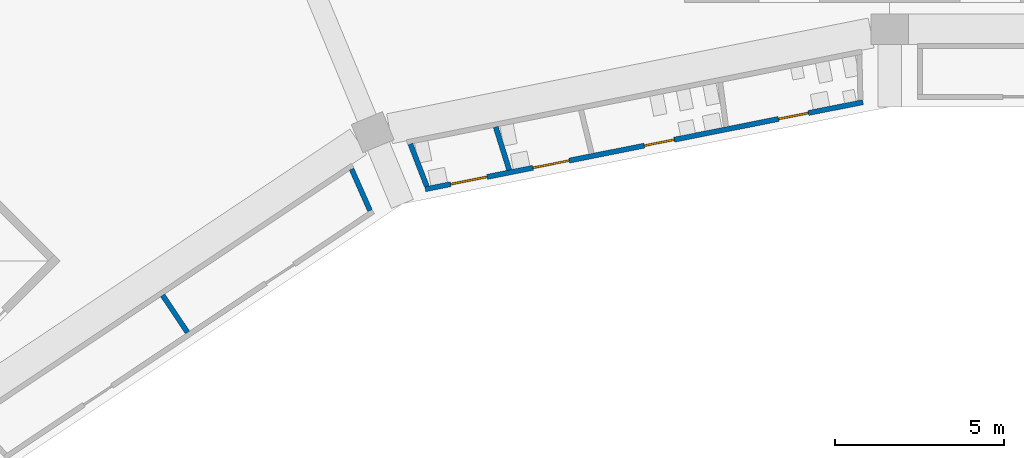
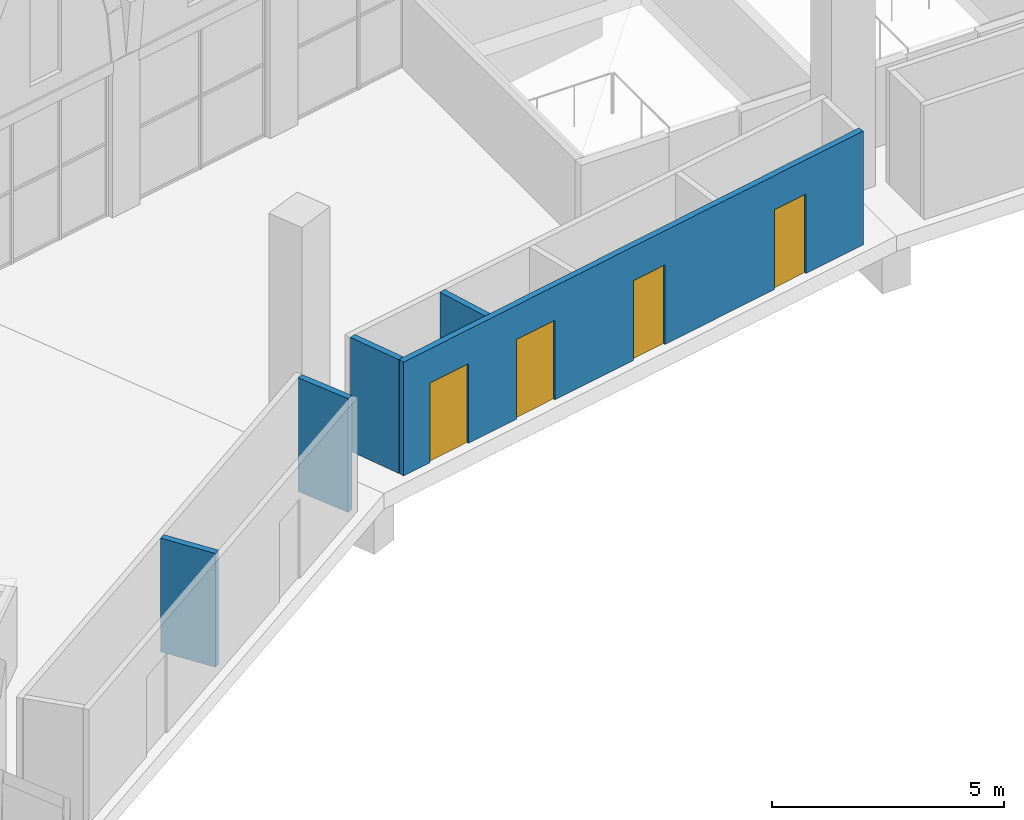
# One storey, part 79 of 130: 5 walls, 4 doors, 4 openings.
"""IFC4 building model written with IfcOpenShell, lengths in metres."""

from ifc_helpers import new_model, si_unit, direction, frame, frame_2d, origin, place, context, subcontext, project, spatial, rectangle, extrude, material, layer, layer_set, type_object, element, fill, save


model = new_model("IFC4")

# Units and contexts
model_context = context("Model", 3, precision=1e-05, world=origin(), true_north=direction((0.0, 1.0)))
body_context = subcontext(model_context, "Body", "Model", "MODEL_VIEW")
ifc_project = project(units=[si_unit("LENGTHUNIT", "METRE"), si_unit("AREAUNIT", "SQUARE_METRE"), si_unit("VOLUMEUNIT", "CUBIC_METRE"), si_unit("PLANEANGLEUNIT", "RADIAN"), si_unit("MASSUNIT", "GRAM", prefix="KILO")], contexts=[model_context])

# Site, building, storey
site_placement = place(None, origin())
site = spatial("IfcSite", under=ifc_project, at=site_placement, CompositionType="ELEMENT")
building_placement = place(site_placement, origin())
building = spatial("IfcBuilding", under=site, at=building_placement, Name="Ogive Plaza Stadium", CompositionType="ELEMENT")
storey_placement = place(building_placement, frame((0.0, 0.0, 22.5)))
storey = spatial("IfcBuildingStorey", under=building, at=storey_placement, Name="L05", CompositionType="ELEMENT", Elevation=22.5)

# Walls
ifc_material_1 = material(Name="Masonry blockwork", Category="masonry")
ifc_layer_1 = layer(ifc_material_1, 0.14990234375)
ifc_layer_set_1 = layer_set([ifc_layer_1], Name="Blockwork wall 150")
wall_type_1 = type_object("IfcWallType", Name="Blockwork wall 150", PredefinedType="SOLIDWALL", material=ifc_layer_set_1)
wall_1_placement = place(storey_placement, frame((-54.78662109375, 83.523193359375, 0.0), z_axis=(0.0, 0.0, 1.0), x_axis=(-0.556613340271, 0.830771683095, 0.0)))
element("IfcWall", 1, at=wall_1_placement, inside=storey, type_object=wall_type_1, Name="Wall L05 B30", PredefinedType="SOLIDWALL", context=body_context, shape_type="SweptSolid", body=[
    extrude(rectangle(XDim=1.32421875, YDim=0.14990234375, at=frame_2d((0.662109375, 0.0))), origin(), (0.0, 0.0, 1.0), 3.0),
])
wall_2_placement = place(storey_placement, frame((-49.3857421875, 87.132080078125, 0.0), z_axis=(0.0, 0.0, 1.0), x_axis=(-0.405902438759, 0.913916413142, 0.0)))
element("IfcWall", 2, at=wall_2_placement, inside=storey, type_object=wall_type_1, Name="Wall L05 B30", PredefinedType="SOLIDWALL", context=body_context, shape_type="SweptSolid", body=[
    extrude(rectangle(XDim=1.34375, YDim=0.14990234375, at=frame_2d((0.671875, 0.0))), origin(), (0.0, 0.0, 1.0), 3.0),
])

# Wall, openings, doors
ifc_material_2 = material(Name="Gypsum board partition", Category="gypsum")
ifc_layer_2 = layer(ifc_material_2, 0.14990234375)
ifc_layer_set_2 = layer_set([ifc_layer_2], Name="Partition 150")
wall_type_2 = type_object("IfcWallType", Name="Partition 150", PredefinedType="PARTITIONING", material=ifc_layer_set_2)
wall_3_placement = place(storey_placement, frame((-34.79345703125, 90.34228515625, 0.0), z_axis=(0.0, 0.0, 1.0), x_axis=(-0.980782047358, -0.195106574927, 0.0)))
wall_3 = element("IfcWall", 3, at=wall_3_placement, inside=storey, type_object=wall_type_2, Name="Wall L05 B31", PredefinedType="PARTITIONING", context=body_context, shape_type="SweptSolid", body=[
    extrude(rectangle(XDim=13.208984375, YDim=0.14990234375, at=frame_2d((6.6044921875, 0.0))), origin(), (0.0, 0.0, 1.0), 3.0),
])
opening_1_placement = place(wall_3_placement, frame((1.648193359375, 0.0, 0.0)))
opening_1 = element("IfcOpeningElement", 4, at=opening_1_placement, cuts=wall_3, Name="Opening D1007", PredefinedType="OPENING", context=body_context, shape_type="SweptSolid", body=[
    extrude(rectangle(XDim=0.89990234375, YDim=2.10009765625, at=frame_2d((0.449951171875, 1.050048828125))), frame((0.0, 0.074951171875, 0.0), z_axis=(0.0, -1.0, 0.0), x_axis=(1.0, 0.0, 0.0)), (0.0, 0.0, 1.0), 0.14990234375),
])
opening_2_placement = place(wall_3_placement, frame((5.697265625, 0.0, 0.0)))
opening_2 = element("IfcOpeningElement", 5, at=opening_2_placement, cuts=wall_3, Name="Opening D1008", PredefinedType="OPENING", context=body_context, shape_type="SweptSolid", body=[
    extrude(rectangle(XDim=0.89990234375, YDim=2.10009765625, at=frame_2d((0.449951171875, 1.050048828125))), frame((0.0, 0.074951171875, 0.0), z_axis=(0.0, -1.0, 0.0), x_axis=(1.0, 0.0, 0.0)), (0.0, 0.0, 1.0), 0.14990234375),
])
opening_3_placement = place(wall_3_placement, frame((8.862548828125, 0.0, 0.0)))
opening_3 = element("IfcOpeningElement", 6, at=opening_3_placement, cuts=wall_3, Name="Opening D1009", PredefinedType="OPENING", context=body_context, shape_type="SweptSolid", body=[
    extrude(rectangle(XDim=1.10009765625, YDim=2.10009765625, at=frame_2d((0.550048828125, 1.050048828125))), frame((0.0, 0.074951171875, 0.0), z_axis=(0.0, -1.0, 0.0), x_axis=(1.0, 0.0, 0.0)), (0.0, 0.0, 1.0), 0.14990234375),
])
opening_4_placement = place(wall_3_placement, frame((11.344482421875, 0.0, 0.0)))
opening_4 = element("IfcOpeningElement", 7, at=opening_4_placement, cuts=wall_3, Name="Opening D1010", PredefinedType="OPENING", context=body_context, shape_type="SweptSolid", body=[
    extrude(rectangle(XDim=1.10009765625, YDim=2.10009765625, at=frame_2d((0.550048828125, 1.050048828125))), frame((0.0, 0.074951171875, 0.0), z_axis=(0.0, -1.0, 0.0), x_axis=(1.0, 0.0, 0.0)), (0.0, 0.0, 1.0), 0.14990234375),
])
ifc_material_3 = material(Name="Steel ASTM A572 Grade 50", Category="steel")
door_type_1 = type_object("IfcDoorType", Name="Accessible door 1100 x 2100", OperationType="SINGLE_SWING_LEFT", PredefinedType="DOOR", material=ifc_material_3)
door_1_placement = place(opening_3_placement, origin())
door_1 = element("IfcDoor", 8, at=door_1_placement, inside=storey, type_object=door_type_1, Name="Accessible WC B31 door", OperationType="SINGLE_SWING_LEFT", OverallHeight=2.10009765625, OverallWidth=1.10009765625, PredefinedType="DOOR", context=body_context, shape_type="SweptSolid", body=[
    extrude(rectangle(XDim=1.10009765625, YDim=2.10009765625, at=frame_2d((0.550048828125, 1.050048828125))), frame((0.0, 0.02490234375, 0.0), z_axis=(0.0, -1.0, 0.0), x_axis=(1.0, 0.0, 0.0)), (0.0, 0.0, 1.0), 0.050048828125),
])
fill(opening_3, door_1)
door_2_placement = place(opening_4_placement, origin())
door_2 = element("IfcDoor", 9, at=door_2_placement, inside=storey, type_object=door_type_1, Name="Family WC B31 door", OperationType="SINGLE_SWING_LEFT", OverallHeight=2.10009765625, OverallWidth=1.10009765625, PredefinedType="DOOR", context=body_context, shape_type="SweptSolid", body=[
    extrude(rectangle(XDim=1.10009765625, YDim=2.10009765625, at=frame_2d((0.550048828125, 1.050048828125))), frame((0.0, 0.02490234375, 0.0), z_axis=(0.0, -1.0, 0.0), x_axis=(1.0, 0.0, 0.0)), (0.0, 0.0, 1.0), 0.050048828125),
])
fill(opening_4, door_2)
ifc_material_4 = material(Name="Steel ASTM A572 Grade 50", Category="steel")
door_type_2 = type_object("IfcDoorType", Name="Door 900 x 2100", OperationType="SINGLE_SWING_LEFT", PredefinedType="DOOR", material=ifc_material_4)
door_3_placement = place(opening_1_placement, origin())
door_3 = element("IfcDoor", 10, at=door_3_placement, inside=storey, type_object=door_type_2, Name="Men's Toilet B31 door", OperationType="SINGLE_SWING_RIGHT", OverallHeight=2.10009765625, OverallWidth=0.89990234375, PredefinedType="DOOR", context=body_context, shape_type="SweptSolid", body=[
    extrude(rectangle(XDim=0.89990234375, YDim=2.10009765625, at=frame_2d((0.449951171875, 1.050048828125))), frame((0.0, 0.02490234375, 0.0), z_axis=(0.0, -1.0, 0.0), x_axis=(1.0, 0.0, 0.0)), (0.0, 0.0, 1.0), 0.050048828125),
])
fill(opening_1, door_3)
door_4_placement = place(opening_2_placement, origin())
door_4 = element("IfcDoor", 11, at=door_4_placement, inside=storey, type_object=door_type_2, Name="Women's Toilet B31 door", OperationType="SINGLE_SWING_LEFT", OverallHeight=2.10009765625, OverallWidth=0.89990234375, PredefinedType="DOOR", context=body_context, shape_type="SweptSolid", body=[
    extrude(rectangle(XDim=0.89990234375, YDim=2.10009765625, at=frame_2d((0.449951171875, 1.050048828125))), frame((0.0, 0.02490234375, 0.0), z_axis=(0.0, -1.0, 0.0), x_axis=(1.0, 0.0, 0.0)), (0.0, 0.0, 1.0), 0.050048828125),
])
fill(opening_2, door_4)

# Walls
wall_4_placement = place(storey_placement, frame((-45.264404296875, 88.33447265625, 0.0), z_axis=(0.0, 0.0, 1.0), x_axis=(-0.299902863417, 0.953969744024, 0.0)))
element("IfcWall", 12, at=wall_4_placement, inside=storey, type_object=wall_type_2, Name="Wall L05 B31", PredefinedType="PARTITIONING", context=body_context, shape_type="SweptSolid", body=[
    extrude(rectangle(XDim=1.331787109375, YDim=0.14990234375, at=frame_2d((0.666015625, 0.0))), origin(), (0.0, 0.0, 1.0), 3.0),
])
wall_5_placement = place(storey_placement, frame((-47.703369140625, 87.84912109375, 0.0), z_axis=(0.0, 0.0, 1.0), x_axis=(-0.36141186071, 0.932406277831, 0.0)))
element("IfcWall", 13, at=wall_5_placement, inside=storey, type_object=wall_type_2, Name="Wall L05 B31", PredefinedType="PARTITIONING", context=body_context, shape_type="SweptSolid", body=[
    extrude(rectangle(XDim=1.34423828125, YDim=0.14990234375, at=frame_2d((0.672119140625, 0.0))), origin(), (0.0, 0.0, 1.0), 3.0),
])

save(model, "model.ifc")
